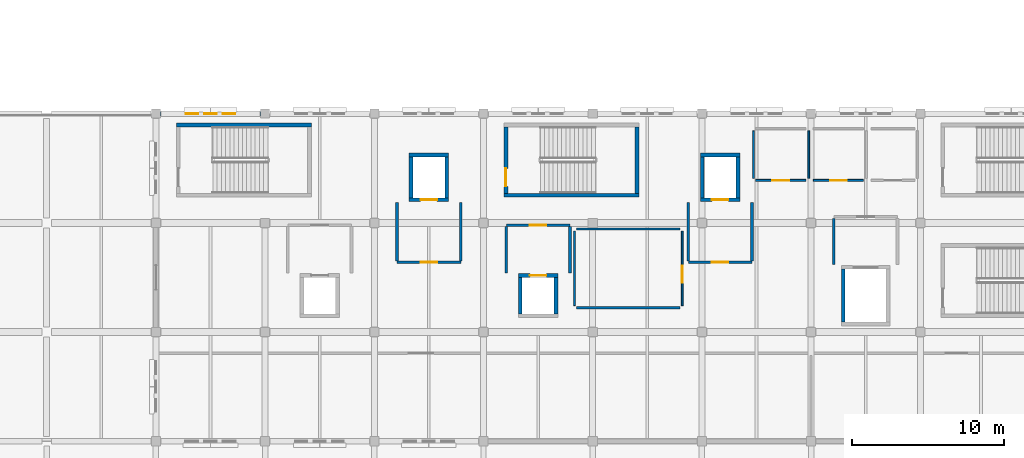
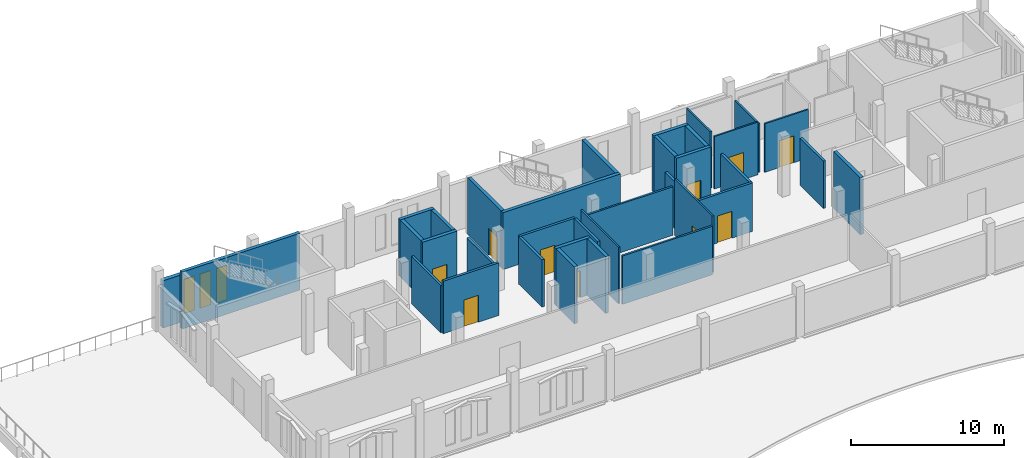
# One storey, part 10 of 23: 35 walls, 10 doors, 3 windows, 13 openings.
"""IFC4 building model written with IfcOpenShell, lengths in metres."""

import ifcopenshell
import ifcopenshell.guid

model = None  # the IFC model being written
_history = None  # IfcOwnerHistory: only IFC2X3 demands one
_inside = {}  # id of a spatial element -> (the spatial element, [elements in it])
_under = {}  # id of a project, library or spatial element -> (it, [spatial elements below it])
_declared = {}  # id of a project -> (the project, [libraries it declares])
_typed = {}  # id of a type object -> (the type object, [elements of that type])
_made_of = {}  # id of a material, layer set ... -> (it, [elements and type objects made of it])


def new_model(schema):
    """Start an empty IFC model of exactly this schema.

    Asked for "IFC4X3", IfcOpenShell would pick the latest addendum, in which some entities
    have other attributes; the version numbers below select the first issue.
    IFC2X3 requires an IfcOwnerHistory on every rooted entity: one is made here for all.
    """
    global model, _history
    if schema == "IFC4X3":
        model = ifcopenshell.file(schema_version=(4, 3, 0, 0))
    else:
        model = ifcopenshell.file(schema=schema)
    _inside.clear()
    _under.clear()
    _declared.clear()
    _typed.clear()
    _made_of.clear()
    _history = None
    if model.schema == "IFC2X3":
        org = make("IfcOrganization", Name="unknown")
        user = make(
            "IfcPersonAndOrganization",
            ThePerson=make("IfcPerson", FamilyName="unknown"),
            TheOrganization=org,
        )
        app = make(
            "IfcApplication",
            ApplicationDeveloper=org,
            Version="unknown",
            ApplicationFullName="unknown",
            ApplicationIdentifier="unknown",
        )
        _history = make(
            "IfcOwnerHistory",
            OwningUser=user,
            OwningApplication=app,
            ChangeAction="ADDED",
            CreationDate=0,
        )
    return model


def make(cls, **values):
    """One entity of the class cls with the attributes given. An attribute that is None is left unset."""
    return model.create_entity(
        cls, **{name: value for name, value in values.items() if value is not None}
    )


def rooted(cls, **values):
    """An entity with a GlobalId (a new one), such as an element, a storey or a relation."""
    return make(cls, GlobalId=ifcopenshell.guid.new(), OwnerHistory=_history, **values)


def si_unit(unit_type, name, prefix=None):
    """IfcSIUnit, for example si_unit("LENGTHUNIT", "METRE", prefix="MILLI")."""
    return make("IfcSIUnit", UnitType=unit_type, Prefix=prefix, Name=name)


def assignment(units):
    """IfcUnitAssignment: the units of a project."""
    return None if units is None else make("IfcUnitAssignment", Units=units)


def point(xyz):
    """IfcCartesianPoint."""
    return None if xyz is None else make("IfcCartesianPoint", Coordinates=xyz)


def direction(xyz):
    """IfcDirection."""
    return None if xyz is None else make("IfcDirection", DirectionRatios=xyz)


def frame(location, z_axis=None, x_axis=None):
    """IfcAxis2Placement3D, a coordinate frame: its origin and axes. An axis left out is left unset."""
    return make(
        "IfcAxis2Placement3D",
        Location=point(location),
        Axis=direction(z_axis),
        RefDirection=direction(x_axis),
    )


def frame_2d(location, x_axis=None):
    """IfcAxis2Placement2D, a coordinate frame in the plane: its origin and x axis."""
    return make(
        "IfcAxis2Placement2D", Location=point(location), RefDirection=direction(x_axis)
    )


def origin():
    """The frame at (0, 0, 0) with its axes left unset."""
    return frame((0.0, 0.0, 0.0))


def place(relative_to, where):
    """IfcLocalPlacement: puts the frame where relative to a parent placement (None: the world)."""
    return make(
        "IfcLocalPlacement", PlacementRelTo=relative_to, RelativePlacement=where
    )


def context(
    kind, dimensions, precision=None, world=None, true_north=None, identifier=None
):
    """IfcGeometricRepresentationContext, for example the 3D "Model" context."""
    return make(
        "IfcGeometricRepresentationContext",
        ContextIdentifier=identifier,
        ContextType=kind,
        CoordinateSpaceDimension=dimensions,
        Precision=precision,
        WorldCoordinateSystem=world,
        TrueNorth=true_north,
    )


def subcontext(parent, identifier, kind, view, scale=None):
    """IfcGeometricRepresentationSubContext, for example "Body" below "Model"."""
    return make(
        "IfcGeometricRepresentationSubContext",
        ContextIdentifier=identifier,
        ContextType=kind,
        ParentContext=parent,
        TargetScale=scale,
        TargetView=view,
    )


def project(units=None, contexts=None):
    """IfcProject with its units and contexts."""
    return rooted(
        "IfcProject",
        Name="project",
        RepresentationContexts=contexts,
        UnitsInContext=assignment(units),
    )


def spatial(cls, under=None, at=None, **own):
    """A site, building, storey or space (cls), placed at a placement, below another one or the project."""
    s = rooted(cls, ObjectPlacement=at, **own)
    if under is not None:
        _under.setdefault(under.id(), (under, []))[1].append(s)
    return s


def profile(cls, at=None, kind="AREA", **sizes):
    """A parametric profile (cls). Its sizes go by their IFC names, for example OverallWidth=200.0."""
    return make(cls, ProfileType=kind, Position=at, **sizes)


def rectangle(**sizes):
    """IfcRectangleProfileDef."""
    return profile("IfcRectangleProfileDef", **sizes)


def extrude(swept, where, along, depth):
    """IfcExtrudedAreaSolid: the profile swept, set in the frame where, extruded along a direction by depth."""
    return make(
        "IfcExtrudedAreaSolid",
        SweptArea=swept,
        Position=where,
        ExtrudedDirection=direction(along),
        Depth=depth,
    )


def shape(context_of_items, identifier, shape_type, items):
    """IfcShapeRepresentation: the items that make up one representation, for example the "Body"."""
    return make(
        "IfcShapeRepresentation",
        ContextOfItems=context_of_items,
        RepresentationIdentifier=identifier,
        RepresentationType=shape_type,
        Items=items,
    )


def material(Name=None, Category=None):
    """IfcMaterial."""
    return make("IfcMaterial", Name=Name, Category=Category)


def layer(
    of_material, thickness, ventilated=None, Name=None, Category=None, Priority=None
):
    """IfcMaterialLayer: one layer of a wall or slab, of a material (None: an air gap)."""
    return make(
        "IfcMaterialLayer",
        Material=of_material,
        LayerThickness=thickness,
        IsVentilated=ventilated,
        Name=Name,
        Category=Category,
        Priority=Priority,
    )


def layer_set(layers, Name=None):
    """IfcMaterialLayerSet."""
    return make("IfcMaterialLayerSet", MaterialLayers=layers, LayerSetName=Name)


def made_of(thing, what):
    """Note that an element or type object is made of a material, layer set ...; save() writes the relation."""
    if what is not None:
        _made_of.setdefault(what.id(), (what, []))[1].append(thing)
    return thing


def type_object(cls, material=None, **own):
    """A type object (cls), such as IfcWallType, which elements share."""
    return made_of(rooted(cls, **own), material)


def element(
    cls,
    number,
    at=None,
    inside=None,
    cuts=None,
    type_object=None,
    material=None,
    context=None,
    identifier="Body",
    shape_type=None,
    held_by="IfcProductDefinitionShape",
    body=None,
    shapes=None,
    **own,
):
    """One element of the class cls, such as IfcWall. Its Tag is "e" and its number.

    at: its placement. inside: the storey or other place that contains it. cuts: it is an
    opening in that element (IfcRelVoidsElement). A single representation is given by context,
    identifier, shape_type and body (its items); several are given by shapes. held_by: the class
    of the entity that holds the representations. save() writes the other relations.
    """
    e = rooted(cls, Tag="e%d" % number, ObjectPlacement=at, **own)
    if body is not None:
        shapes = [shape(context, identifier, shape_type, body)]
    if shapes is not None:
        e.Representation = make(held_by, Representations=shapes)
    if inside is not None:
        _inside.setdefault(inside.id(), (inside, []))[1].append(e)
    if cuts is not None:
        rooted(
            "IfcRelVoidsElement", RelatingBuildingElement=cuts, RelatedOpeningElement=e
        )
    if type_object is not None:
        _typed.setdefault(type_object.id(), (type_object, []))[1].append(e)
    return made_of(e, material)


def fill(opening, filler):
    """IfcRelFillsElement: the door or window that sits in an opening."""
    return rooted(
        "IfcRelFillsElement",
        RelatingOpeningElement=opening,
        RelatedBuildingElement=filler,
    )


def aggregate(whole, parts):
    """IfcRelAggregates: a whole, such as a stair, and the parts it consists of."""
    return rooted("IfcRelAggregates", RelatingObject=whole, RelatedObjects=parts)


def save(model, path):
    """Write the relations noted so far, then the file.

    IfcRelAggregates (storeys below a building ...), IfcRelContainedInSpatialStructure (elements
    in a storey), IfcRelDefinesByType, IfcRelAssociatesMaterial and IfcRelDeclares: one each for
    every whole, place, type object, material and project.
    """
    for whole, parts in _under.values():
        aggregate(whole, parts)
    for where, things in _inside.values():
        rooted(
            "IfcRelContainedInSpatialStructure",
            RelatedElements=things,
            RelatingStructure=where,
        )
    for kind, things in _typed.values():
        rooted("IfcRelDefinesByType", RelatedObjects=things, RelatingType=kind)
    for what, things in _made_of.values():
        rooted("IfcRelAssociatesMaterial", RelatedObjects=things, RelatingMaterial=what)
    for by, libraries in _declared.values():
        rooted("IfcRelDeclares", RelatingContext=by, RelatedDefinitions=libraries)
    model.write(path)


model = new_model("IFC4")

# Units and contexts
model_context = context("Model", 3, precision=1e-05, world=origin(), true_north=direction((0.0, 1.0)))
body_context = subcontext(model_context, "Body", "Model", "MODEL_VIEW")
ifc_project = project(units=[si_unit("LENGTHUNIT", "METRE"), si_unit("AREAUNIT", "SQUARE_METRE"), si_unit("VOLUMEUNIT", "CUBIC_METRE"), si_unit("PLANEANGLEUNIT", "RADIAN"), si_unit("MASSUNIT", "GRAM", prefix="KILO")], contexts=[model_context])

# Site, building, storey
site_placement = place(None, origin())
site = spatial("IfcSite", under=ifc_project, at=site_placement, CompositionType="ELEMENT")
building_placement = place(site_placement, origin())
building = spatial("IfcBuilding", under=site, at=building_placement, Name="Cendralis Lancet Convention Centre", CompositionType="ELEMENT")
storey_placement = place(building_placement, frame((0.0, 0.0, 19.800048828125)))
storey = spatial("IfcBuildingStorey", under=building, at=storey_placement, Name="L04", CompositionType="ELEMENT", Elevation=19.800048828125)

# Wall, openings, windows
ifc_material_1 = material(Name="Buff sandstone ashlar and Concrete G40 (C40/50)", Category="masonry")
ifc_layer_1 = layer(ifc_material_1, 0.300048828125, Name="Buff sandstone ashlar and Concrete G40 (C40/50)")
ifc_layer_set_1 = layer_set([ifc_layer_1], Name="Buff sandstone ashlar and Concrete G40 (C40/50)")
wall_type_1 = type_object("IfcWallType", Name="ARC-EW-W300", PredefinedType="STANDARD", material=ifc_layer_set_1)
wall_1_placement = place(storey_placement, frame((146.7080078125, 36.0, 0.0), z_axis=(0.0, 0.0, 1.0), x_axis=(1.0, 0.0, 0.0)))
wall_1 = element("IfcWall", 1, at=wall_1_placement, inside=storey, type_object=wall_type_1, Name="L04 V5 Exterior Wall EW-07 #0319", PredefinedType="STANDARD", context=body_context, shape_type="SweptSolid", body=[
    extrude(rectangle(XDim=6.583984375, YDim=0.300048828125, at=frame_2d((3.2919921875, 0.0))), origin(), (0.0, 0.0, 1.0), 3.784912109375),
])
opening_1_placement = place(wall_1_placement, frame((1.672119140625, 0.0, 0.5)))
opening_1 = element("IfcOpeningElement", 2, at=opening_1_placement, cuts=wall_1, Name="Opening WN-07", PredefinedType="OPENING", context=body_context, shape_type="SweptSolid", body=[
    extrude(rectangle(XDim=0.800048828125, YDim=2.75, at=frame_2d((0.39990234375, 1.375))), frame((0.0, 0.159912109375, 0.0), z_axis=(0.0, -1.0, 0.0), x_axis=(1.0, 0.0, 0.0)), (0.0, 0.0, 1.0), 0.320068359375),
])
opening_2_placement = place(wall_1_placement, frame((2.89208984375, 0.0, 0.5)))
opening_2 = element("IfcOpeningElement", 3, at=opening_2_placement, cuts=wall_1, Name="Opening WN-07", PredefinedType="OPENING", context=body_context, shape_type="SweptSolid", body=[
    extrude(rectangle(XDim=0.800048828125, YDim=2.75, at=frame_2d((0.39990234375, 1.375))), frame((0.0, 0.159912109375, 0.0), z_axis=(0.0, -1.0, 0.0), x_axis=(1.0, 0.0, 0.0)), (0.0, 0.0, 1.0), 0.320068359375),
])
opening_3_placement = place(wall_1_placement, frame((4.112060546875, 0.0, 0.5)))
opening_3 = element("IfcOpeningElement", 4, at=opening_3_placement, cuts=wall_1, Name="Opening WN-07", PredefinedType="OPENING", context=body_context, shape_type="SweptSolid", body=[
    extrude(rectangle(XDim=0.800048828125, YDim=2.75, at=frame_2d((0.39990234375, 1.375))), frame((0.0, 0.159912109375, 0.0), z_axis=(0.0, -1.0, 0.0), x_axis=(1.0, 0.0, 0.0)), (0.0, 0.0, 1.0), 0.320068359375),
])
ifc_material_2 = material(Name="Double-glazed low-E solar-control glass", Category="glass")
window_type = type_object("IfcWindowType", Name="ARC-WN-LW07", PartitioningType="SINGLE_PANEL", PredefinedType="WINDOW", material=ifc_material_2)
window_1_placement = place(opening_1_placement, origin())
window_1 = element("IfcWindow", 5, at=window_1_placement, inside=storey, type_object=window_type, Name="Gothic Lancet Window WN-07 #0634", OverallHeight=2.75, OverallWidth=0.800048828125, PartitioningType="SINGLE_PANEL", PredefinedType="WINDOW", context=body_context, shape_type="SweptSolid", body=[
    extrude(rectangle(XDim=0.800048828125, YDim=2.75, at=frame_2d((0.39990234375, 1.375))), frame((0.0, 0.030029296875, 0.0), z_axis=(0.0, -1.0, 0.0), x_axis=(1.0, 0.0, 0.0)), (0.0, 0.0, 1.0), 0.06005859375),
])
fill(opening_1, window_1)
window_2_placement = place(opening_2_placement, origin())
window_2 = element("IfcWindow", 6, at=window_2_placement, inside=storey, type_object=window_type, Name="Gothic Lancet Window WN-07 #0635", OverallHeight=2.75, OverallWidth=0.800048828125, PartitioningType="SINGLE_PANEL", PredefinedType="WINDOW", context=body_context, shape_type="SweptSolid", body=[
    extrude(rectangle(XDim=0.800048828125, YDim=2.75, at=frame_2d((0.39990234375, 1.375))), frame((0.0, 0.030029296875, 0.0), z_axis=(0.0, -1.0, 0.0), x_axis=(1.0, 0.0, 0.0)), (0.0, 0.0, 1.0), 0.06005859375),
])
fill(opening_2, window_2)
window_3_placement = place(opening_3_placement, origin())
window_3 = element("IfcWindow", 7, at=window_3_placement, inside=storey, type_object=window_type, Name="Gothic Lancet Window WN-07 #0636", OverallHeight=2.75, OverallWidth=0.800048828125, PartitioningType="SINGLE_PANEL", PredefinedType="WINDOW", context=body_context, shape_type="SweptSolid", body=[
    extrude(rectangle(XDim=0.800048828125, YDim=2.75, at=frame_2d((0.39990234375, 1.375))), frame((0.0, 0.030029296875, 0.0), z_axis=(0.0, -1.0, 0.0), x_axis=(1.0, 0.0, 0.0)), (0.0, 0.0, 1.0), 0.06005859375),
])
fill(opening_3, window_3)

# Wall
ifc_material_3 = material(Name="Acoustic fire-rated gypsum board on steel studs", Category="steel")
ifc_layer_2 = layer(ifc_material_3, 0.1201171875, Name="Acoustic fire-rated gypsum board on steel studs")
ifc_layer_set_2 = layer_set([ifc_layer_2], Name="Acoustic fire-rated gypsum board on steel studs")
wall_type_2 = type_object("IfcWallType", Name="ARC-IW-P120", PredefinedType="PARTITIONING", material=ifc_layer_set_2)
wall_2_placement = place(storey_placement, frame((174.0, 23.340087890625, 0.0), z_axis=(0.0, 0.0, 1.0), x_axis=(0.0, 1.0, 0.0)))
element("IfcWall", 8, at=wall_2_placement, inside=storey, type_object=wall_type_2, Name="L04 Interior Partition IW-05 #0429", PredefinedType="PARTITIONING", context=body_context, shape_type="SweptSolid", body=[
    extrude(rectangle(XDim=4.919921875, YDim=0.1201171875, at=frame_2d((2.4599609375, 0.0))), origin(), (0.0, 0.0, 1.0), 4.534912109375),
])

# Wall, opening, door
wall_3_placement = place(storey_placement, frame((181.10009765625, 23.340087890625, 0.0), z_axis=(0.0, 0.0, 1.0), x_axis=(0.0, 1.0, 0.0)))
wall_3 = element("IfcWall", 9, at=wall_3_placement, inside=storey, type_object=wall_type_2, Name="L04 Interior Partition IW-05 #0430", PredefinedType="PARTITIONING", context=body_context, shape_type="SweptSolid", body=[
    extrude(rectangle(XDim=4.919921875, YDim=0.1201171875, at=frame_2d((2.4599609375, 0.0))), origin(), (0.0, 0.0, 1.0), 4.534912109375),
])
opening_4_placement = place(wall_3_placement, frame((1.528076171875, 0.0, 0.0)))
opening_4 = element("IfcOpeningElement", 10, at=opening_4_placement, cuts=wall_3, Name="Opening FD-11", PredefinedType="OPENING", context=body_context, shape_type="SweptSolid", body=[
    extrude(rectangle(XDim=1.10009765625, YDim=2.14990234375, at=frame_2d((0.550048828125, 1.074951171875))), frame((0.0, 0.070068359375, 0.0), z_axis=(0.0, -1.0, 0.0), x_axis=(1.0, 0.0, 0.0)), (0.0, 0.0, 1.0), 0.14013671875),
])
ifc_material_4 = material(Name="Steel S355", Category="steel")
door_type_1 = type_object("IfcDoorType", Name="ARC-DR-FF11", OperationType="NOTDEFINED", PredefinedType="DOOR", material=ifc_material_4)
door_1_placement = place(opening_4_placement, frame((1.10009765625, 0.0, 0.0), z_axis=(0.0, 0.0, 1.0), x_axis=(-1.0, 0.0, 0.0)))
door_1 = element("IfcDoor", 11, at=door_1_placement, inside=storey, type_object=door_type_1, Name="L04-D013 L04 Interior Door FD-11 #0147", OperationType="SINGLE_SWING_LEFT", OverallHeight=2.14990234375, OverallWidth=1.10009765625, PredefinedType="DOOR", context=body_context, shape_type="SweptSolid", body=[
    extrude(rectangle(XDim=1.10009765625, YDim=2.14990234375, at=frame_2d((0.550048828125, 1.074951171875))), frame((0.0, 0.02490234375, 0.0), z_axis=(0.0, -1.0, 0.0), x_axis=(1.0, 0.0, 0.0)), (0.0, 0.0, 1.0), 0.050048828125),
])
fill(opening_4, door_1)

wall_4_placement = place(storey_placement, frame((185.949951171875, 31.60009765625, 0.0), z_axis=(0.0, 0.0, 1.0), x_axis=(1.0, 0.0, 0.0)))
wall_4 = element("IfcWall", 12, at=wall_4_placement, inside=storey, type_object=wall_type_2, Name="L04 Interior Partition IW-05 #0431", PredefinedType="PARTITIONING", context=body_context, shape_type="SweptSolid", body=[
    extrude(rectangle(XDim=3.300048828125, YDim=0.1201171875, at=frame_2d((1.64990234375, 0.0))), origin(), (0.0, 0.0, 1.0), 4.204833984375),
])
opening_5_placement = place(wall_4_placement, frame((1.10009765625, 0.0, 0.0)))
opening_5 = element("IfcOpeningElement", 13, at=opening_5_placement, cuts=wall_4, Name="Opening FD-11", PredefinedType="OPENING", context=body_context, shape_type="SweptSolid", body=[
    extrude(rectangle(XDim=1.10009765625, YDim=2.14990234375, at=frame_2d((0.550048828125, 1.074951171875))), frame((0.0, 0.070068359375, 0.0), z_axis=(0.0, -1.0, 0.0), x_axis=(1.0, 0.0, 0.0)), (0.0, 0.0, 1.0), 0.14013671875),
])
door_2_placement = place(opening_5_placement, origin())
door_2 = element("IfcDoor", 14, at=door_2_placement, inside=storey, type_object=door_type_1, Name="L04-D014 L04 Interior Door FD-11 #0148", OperationType="SINGLE_SWING_RIGHT", OverallHeight=2.14990234375, OverallWidth=1.10009765625, PredefinedType="DOOR", context=body_context, shape_type="SweptSolid", body=[
    extrude(rectangle(XDim=1.10009765625, YDim=2.14990234375, at=frame_2d((0.550048828125, 1.074951171875))), frame((0.0, 0.02490234375, 0.0), z_axis=(0.0, -1.0, 0.0), x_axis=(1.0, 0.0, 0.0)), (0.0, 0.0, 1.0), 0.050048828125),
])
fill(opening_5, door_2)

# Walls
wall_5_placement = place(storey_placement, frame((185.800048828125, 31.739990234375, 0.0), z_axis=(0.0, 0.0, 1.0), x_axis=(0.0, 1.0, 0.0)))
element("IfcWall", 15, at=wall_5_placement, inside=storey, type_object=wall_type_2, Name="L04 Interior Partition IW-05 #0433", PredefinedType="PARTITIONING", context=body_context, shape_type="SweptSolid", body=[
    extrude(rectangle(XDim=3.1201171875, YDim=0.1201171875, at=frame_2d((1.56005859375, 0.0))), origin(), (0.0, 0.0, 1.0), 4.534912109375),
])
wall_6_placement = place(storey_placement, frame((189.449951171875, 31.739990234375, 0.0), z_axis=(0.0, 0.0, 1.0), x_axis=(0.0, 1.0, 0.0)))
element("IfcWall", 16, at=wall_6_placement, inside=storey, type_object=wall_type_2, Name="L04 Interior Partition IW-05 #0434", PredefinedType="PARTITIONING", context=body_context, shape_type="SweptSolid", body=[
    extrude(rectangle(XDim=3.1201171875, YDim=0.1201171875, at=frame_2d((1.56005859375, 0.0))), origin(), (0.0, 0.0, 1.0), 3.885009765625),
])

# Wall, opening, door
wall_7_placement = place(storey_placement, frame((189.75, 31.60009765625, 0.0), z_axis=(0.0, 0.0, 1.0), x_axis=(1.0, 0.0, 0.0)))
wall_7 = element("IfcWall", 17, at=wall_7_placement, inside=storey, type_object=wall_type_2, Name="L04 Interior Partition IW-05 #0435", PredefinedType="PARTITIONING", context=body_context, shape_type="SweptSolid", body=[
    extrude(rectangle(XDim=3.300048828125, YDim=0.1201171875, at=frame_2d((1.64990234375, 0.0))), origin(), (0.0, 0.0, 1.0), 3.885009765625),
])
opening_6_placement = place(wall_7_placement, frame((1.10009765625, 0.0, 0.0)))
opening_6 = element("IfcOpeningElement", 18, at=opening_6_placement, cuts=wall_7, Name="Opening FD-11", PredefinedType="OPENING", context=body_context, shape_type="SweptSolid", body=[
    extrude(rectangle(XDim=1.10009765625, YDim=2.14990234375, at=frame_2d((0.550048828125, 1.074951171875))), frame((0.0, 0.070068359375, 0.0), z_axis=(0.0, -1.0, 0.0), x_axis=(1.0, 0.0, 0.0)), (0.0, 0.0, 1.0), 0.14013671875),
])
door_3_placement = place(opening_6_placement, frame((1.10009765625, 0.0, 0.0), z_axis=(0.0, 0.0, 1.0), x_axis=(-1.0, 0.0, 0.0)))
door_3 = element("IfcDoor", 19, at=door_3_placement, inside=storey, type_object=door_type_1, Name="L04-D015 L04 Interior Door FD-11 #0149", OperationType="SINGLE_SWING_LEFT", OverallHeight=2.14990234375, OverallWidth=1.10009765625, PredefinedType="DOOR", context=body_context, shape_type="SweptSolid", body=[
    extrude(rectangle(XDim=1.10009765625, YDim=2.14990234375, at=frame_2d((0.550048828125, 1.074951171875))), frame((0.0, 0.02490234375, 0.0), z_axis=(0.0, -1.0, 0.0), x_axis=(1.0, 0.0, 0.0)), (0.0, 0.0, 1.0), 0.050048828125),
])
fill(opening_6, door_3)

# Walls
ifc_layer_3 = layer(ifc_material_3, 0.139892578125, Name="Acoustic fire-rated gypsum board on steel studs")
ifc_layer_set_3 = layer_set([ifc_layer_3], Name="Acoustic fire-rated gypsum board on steel studs")
wall_type_3 = type_object("IfcWallType", Name="ARC-IW-P140", PredefinedType="PARTITIONING", material=ifc_layer_set_3)
for number, where, z_axis, x_axis, name in (
    (20, (174.139892578125, 23.199951171875, 0.0), (0.0, 0.0, 1.0), (1.0, 0.0, 0.0), "L04 Interior Partition IW-04 #0427"),
    (21, (174.139892578125, 28.39990234375, 0.0), (0.0, 0.0, 1.0), (1.0, 0.0, 0.0), "L04 Interior Partition IW-04 #0428"),
):
    element("IfcWall", number, at=place(storey_placement, frame(where, z_axis=z_axis, x_axis=x_axis)), inside=storey, type_object=wall_type_3, Name=name, PredefinedType="PARTITIONING", context=body_context, shape_type="SweptSolid", body=[
        extrude(rectangle(XDim=6.820068359375, YDim=0.139892578125, at=frame_2d((3.41015625, 0.0))), origin(), (0.0, 0.0, 1.0), 3.885009765625),
    ])

# Wall, opening, door
ifc_layer_4 = layer(ifc_material_3, 0.179931640625, Name="Acoustic fire-rated gypsum board on steel studs")
ifc_layer_set_4 = layer_set([ifc_layer_4], Name="Acoustic fire-rated gypsum board on steel studs")
wall_type_4 = type_object("IfcWallType", Name="ARC-IW-P180", PredefinedType="PARTITIONING", material=ifc_layer_set_4)
wall_8_placement = place(storey_placement, frame((166.5, 26.199951171875, 0.0), z_axis=(0.0, 0.0, 1.0), x_axis=(-1.0, 0.0, 0.0)))
wall_8 = element("IfcWall", 22, at=wall_8_placement, inside=storey, type_object=wall_type_4, Name="L04 Firefighting Lift Lobby LF-01 Front Wall", PredefinedType="PARTITIONING", context=body_context, shape_type="SweptSolid", body=[
    extrude(rectangle(XDim=4.199951171875, YDim=0.179931640625, at=frame_2d((2.10009765625, 0.0))), origin(), (0.0, 0.0, 1.0), 4.204833984375),
])
opening_7_placement = place(wall_8_placement, frame((1.550048828125, 0.0, 0.0)))
opening_7 = element("IfcOpeningElement", 23, at=opening_7_placement, cuts=wall_8, Name="Opening FD-11", PredefinedType="OPENING", context=body_context, shape_type="SweptSolid", body=[
    extrude(rectangle(XDim=1.10009765625, YDim=2.14990234375, at=frame_2d((0.550048828125, 1.074951171875))), frame((0.0, 0.099853515625, 0.0), z_axis=(0.0, -1.0, 0.0), x_axis=(1.0, 0.0, 0.0)), (0.0, 0.0, 1.0), 0.199951171875),
])
door_4_placement = place(opening_7_placement, origin())
door_4 = element("IfcDoor", 24, at=door_4_placement, inside=storey, type_object=door_type_1, Name="L04-D024 L04 Lift Lobby LF-01 Fire Door", OperationType="SINGLE_SWING_LEFT", OverallHeight=2.14990234375, OverallWidth=1.10009765625, PredefinedType="DOOR", context=body_context, shape_type="SweptSolid", body=[
    extrude(rectangle(XDim=1.10009765625, YDim=2.14990234375, at=frame_2d((0.550048828125, 1.074951171875))), frame((0.0, 0.02490234375, 0.0), z_axis=(0.0, -1.0, 0.0), x_axis=(1.0, 0.0, 0.0)), (0.0, 0.0, 1.0), 0.050048828125),
])
fill(opening_7, door_4)

# Walls
for number, where, z_axis, x_axis, name in (
    (25, (162.300048828125, 26.300048828125, 0.0), (0.0, 0.0, 1.0), (0.0, 1.0, 0.0), "L04 Lift Lobby LF-01 West Wall"),
    (26, (166.5, 26.300048828125, 0.0), (0.0, 0.0, 1.0), (0.0, 1.0, 0.0), "L04 Lift Lobby LF-01 East Wall"),
):
    element("IfcWall", number, at=place(storey_placement, frame(where, z_axis=z_axis, x_axis=x_axis)), inside=storey, type_object=wall_type_4, Name=name, PredefinedType="PARTITIONING", context=body_context, shape_type="SweptSolid", body=[
        extrude(rectangle(XDim=3.849853515625, YDim=0.179931640625, at=frame_2d((1.9248046875, 0.0))), origin(), (0.0, 0.0, 1.0), 3.784912109375),
    ])

# Wall, opening, door
wall_9_placement = place(storey_placement, frame((185.699951171875, 26.199951171875, 0.0), z_axis=(0.0, 0.0, 1.0), x_axis=(-1.0, 0.0, 0.0)))
wall_9 = element("IfcWall", 27, at=wall_9_placement, inside=storey, type_object=wall_type_4, Name="L04 Firefighting Lift Lobby LF-02 Front Wall", PredefinedType="PARTITIONING", context=body_context, shape_type="SweptSolid", body=[
    extrude(rectangle(XDim=4.199951171875, YDim=0.179931640625, at=frame_2d((2.10009765625, 0.0))), origin(), (0.0, 0.0, 1.0), 3.885009765625),
])
opening_8_placement = place(wall_9_placement, frame((1.550048828125, 0.0, 0.0)))
opening_8 = element("IfcOpeningElement", 28, at=opening_8_placement, cuts=wall_9, Name="Opening FD-11", PredefinedType="OPENING", context=body_context, shape_type="SweptSolid", body=[
    extrude(rectangle(XDim=1.10009765625, YDim=2.14990234375, at=frame_2d((0.550048828125, 1.074951171875))), frame((0.0, 0.099853515625, 0.0), z_axis=(0.0, -1.0, 0.0), x_axis=(1.0, 0.0, 0.0)), (0.0, 0.0, 1.0), 0.199951171875),
])
door_5_placement = place(opening_8_placement, origin())
door_5 = element("IfcDoor", 29, at=door_5_placement, inside=storey, type_object=door_type_1, Name="L04-D025 L04 Lift Lobby LF-02 Fire Door", OperationType="SINGLE_SWING_RIGHT", OverallHeight=2.14990234375, OverallWidth=1.10009765625, PredefinedType="DOOR", context=body_context, shape_type="SweptSolid", body=[
    extrude(rectangle(XDim=1.10009765625, YDim=2.14990234375, at=frame_2d((0.550048828125, 1.074951171875))), frame((0.0, 0.02490234375, 0.0), z_axis=(0.0, -1.0, 0.0), x_axis=(1.0, 0.0, 0.0)), (0.0, 0.0, 1.0), 0.050048828125),
])
fill(opening_8, door_5)

# Walls
for number, where, z_axis, x_axis, name in (
    (30, (181.5, 26.300048828125, 0.0), (0.0, 0.0, 1.0), (0.0, 1.0, 0.0), "L04 Lift Lobby LF-02 West Wall"),
    (31, (185.699951171875, 26.300048828125, 0.0), (0.0, 0.0, 1.0), (0.0, 1.0, 0.0), "L04 Lift Lobby LF-02 East Wall"),
):
    element("IfcWall", number, at=place(storey_placement, frame(where, z_axis=z_axis, x_axis=x_axis)), inside=storey, type_object=wall_type_4, Name=name, PredefinedType="PARTITIONING", context=body_context, shape_type="SweptSolid", body=[
        extrude(rectangle(XDim=3.849853515625, YDim=0.179931640625, at=frame_2d((1.9248046875, 0.0))), origin(), (0.0, 0.0, 1.0), 3.784912109375),
    ])

# Wall, opening, door
wall_10_placement = place(storey_placement, frame((169.5, 28.64990234375, 0.0), z_axis=(0.0, 0.0, 1.0), x_axis=(1.0, 0.0, 0.0)))
wall_10 = element("IfcWall", 32, at=wall_10_placement, inside=storey, type_object=wall_type_4, Name="L04 Lift Lobby LP-02 Front Wall", PredefinedType="PARTITIONING", context=body_context, shape_type="SweptSolid", body=[
    extrude(rectangle(XDim=4.199951171875, YDim=0.179931640625, at=frame_2d((2.10009765625, 0.0))), origin(), (0.0, 0.0, 1.0), 3.784912109375),
])
opening_9_placement = place(wall_10_placement, frame((1.550048828125, 0.0, 0.0)))
opening_9 = element("IfcOpeningElement", 33, at=opening_9_placement, cuts=wall_10, Name="Opening FD-11", PredefinedType="OPENING", context=body_context, shape_type="SweptSolid", body=[
    extrude(rectangle(XDim=1.10009765625, YDim=2.14990234375, at=frame_2d((0.550048828125, 1.074951171875))), frame((0.0, 0.099853515625, 0.0), z_axis=(0.0, -1.0, 0.0), x_axis=(1.0, 0.0, 0.0)), (0.0, 0.0, 1.0), 0.199951171875),
])
door_6_placement = place(opening_9_placement, origin())
door_6 = element("IfcDoor", 34, at=door_6_placement, inside=storey, type_object=door_type_1, Name="L04-D028 L04 Lift Lobby LP-02 Fire Door", OperationType="SINGLE_SWING_RIGHT", OverallHeight=2.14990234375, OverallWidth=1.10009765625, PredefinedType="DOOR", context=body_context, shape_type="SweptSolid", body=[
    extrude(rectangle(XDim=1.10009765625, YDim=2.14990234375, at=frame_2d((0.550048828125, 1.074951171875))), frame((0.0, 0.02490234375, 0.0), z_axis=(0.0, -1.0, 0.0), x_axis=(1.0, 0.0, 0.0)), (0.0, 0.0, 1.0), 0.050048828125),
])
fill(opening_9, door_6)

# Walls
for number, where, z_axis, x_axis, name in (
    (35, (169.5, 25.5, 0.0), (0.0, 0.0, 1.0), (0.0, 1.0, 0.0), "L04 Lift Lobby LP-02 West Wall"),
    (36, (173.699951171875, 25.5, 0.0), (0.0, 0.0, 1.0), (0.0, 1.0, 0.0), "L04 Lift Lobby LP-02 East Wall"),
    (37, (191.10009765625, 26.050048828125, 0.0), (0.0, 0.0, 1.0), (0.0, 1.0, 0.0), "L04 Lift Lobby LG-04 West Wall"),
):
    element("IfcWall", number, at=place(storey_placement, frame(where, z_axis=z_axis, x_axis=x_axis)), inside=storey, type_object=wall_type_4, Name=name, PredefinedType="PARTITIONING", context=body_context, shape_type="SweptSolid", body=[
        extrude(rectangle(XDim=3.050048828125, YDim=0.179931640625, at=frame_2d((1.52490234375, 0.0))), origin(), (0.0, 0.0, 1.0), 3.784912109375),
    ])
ifc_material_5 = material(Name="Concrete G40 (C40/50)", Category="concrete")
ifc_layer_5 = layer(ifc_material_5, 0.25, Name="Concrete G40 (C40/50)")
ifc_layer_set_5 = layer_set([ifc_layer_5], Name="Concrete G40 (C40/50)")
wall_type_5 = type_object("IfcWallType", Name="STR-SW-CW250", PredefinedType="SHEAR", material=ifc_layer_set_5)
wall_11_placement = place(storey_placement, frame((147.75, 35.2548828125, 0.0), z_axis=(0.0, 0.0, 1.0), x_axis=(1.0, 0.0, 0.0)))
element("IfcWall", 38, at=wall_11_placement, inside=storey, type_object=wall_type_5, Name="L04 Stair Core ST-13 North Shear Wall", PredefinedType="SHEAR", context=body_context, shape_type="SweptSolid", body=[
    extrude(rectangle(XDim=8.89990234375, YDim=0.25, at=frame_2d((4.449951171875, 0.0))), origin(), (0.0, 0.0, 1.0), 4.550048828125),
])

# Wall, opening, door
wall_12_placement = place(storey_placement, frame((169.47509765625, 30.75, 0.0), z_axis=(0.0, 0.0, 1.0), x_axis=(0.0, 1.0, 0.0)))
wall_12 = element("IfcWall", 39, at=wall_12_placement, inside=storey, type_object=wall_type_5, Name="L04 Stair Core ST-14 West Shear Wall", PredefinedType="SHEAR", context=body_context, shape_type="SweptSolid", body=[
    extrude(rectangle(XDim=4.3798828125, YDim=0.25, at=frame_2d((2.18994140625, 0.0))), origin(), (0.0, 0.0, 1.0), 4.550048828125),
])
opening_10_placement = place(wall_12_placement, frame((0.449951171875, 0.0, 0.0)))
opening_10 = element("IfcOpeningElement", 40, at=opening_10_placement, cuts=wall_12, Name="Opening SD-12", PredefinedType="OPENING", context=body_context, shape_type="SweptSolid", body=[
    extrude(rectangle(XDim=1.199951171875, YDim=2.14990234375, at=frame_2d((0.60009765625, 1.074951171875))), frame((0.0, 0.135009765625, 0.0), z_axis=(0.0, -1.0, 0.0), x_axis=(1.0, 0.0, 0.0)), (0.0, 0.0, 1.0), 0.27001953125),
])
door_type_2 = type_object("IfcDoorType", Name="ARC-DR-ST12", OperationType="NOTDEFINED", PredefinedType="DOOR", material=ifc_material_4)
door_7_placement = place(opening_10_placement, frame((1.199951171875, 0.0, 0.0), z_axis=(0.0, 0.0, 1.0), x_axis=(-1.0, 0.0, 0.0)))
door_7 = element("IfcDoor", 41, at=door_7_placement, inside=storey, type_object=door_type_2, Name="L04-D034 L04 Exit Stair ST-14 Fire Door", OperationType="SINGLE_SWING_RIGHT", OverallHeight=2.14990234375, OverallWidth=1.199951171875, PredefinedType="DOOR", context=body_context, shape_type="SweptSolid", body=[
    extrude(rectangle(XDim=1.199951171875, YDim=2.14990234375, at=frame_2d((0.60009765625, 1.074951171875))), frame((0.0, 0.02490234375, 0.0), z_axis=(0.0, -1.0, 0.0), x_axis=(1.0, 0.0, 0.0)), (0.0, 0.0, 1.0), 0.050048828125),
])
fill(opening_10, door_7)

# Walls
wall_13_placement = place(storey_placement, frame((178.125, 30.75, 0.0), z_axis=(0.0, 0.0, 1.0), x_axis=(0.0, 1.0, 0.0)))
element("IfcWall", 42, at=wall_13_placement, inside=storey, type_object=wall_type_5, Name="L04 Stair Core ST-14 East Shear Wall", PredefinedType="SHEAR", context=body_context, shape_type="SweptSolid", body=[
    extrude(rectangle(XDim=4.3798828125, YDim=0.25, at=frame_2d((2.18994140625, 0.0))), origin(), (0.0, 0.0, 1.0), 4.550048828125),
])
wall_14_placement = place(storey_placement, frame((169.35009765625, 30.625, 0.0), z_axis=(0.0, 0.0, 1.0), x_axis=(1.0, 0.0, 0.0)))
element("IfcWall", 43, at=wall_14_placement, inside=storey, type_object=wall_type_5, Name="L04 Stair Core ST-14 South Shear Wall", PredefinedType="SHEAR", context=body_context, shape_type="SweptSolid", body=[
    extrude(rectangle(XDim=8.89990234375, YDim=0.25, at=frame_2d((4.449951171875, 0.0))), origin(), (0.0, 0.0, 1.0), 4.550048828125),
])

# Wall, opening, door
wall_15_placement = place(storey_placement, frame((163.10009765625, 30.324951171875, 0.0), z_axis=(0.0, 0.0, 1.0), x_axis=(1.0, 0.0, 0.0)))
wall_15 = element("IfcWall", 44, at=wall_15_placement, inside=storey, type_object=wall_type_5, Name="L04 Lift LF-01 South Shaft Wall", PredefinedType="SHEAR", context=body_context, shape_type="SweptSolid", body=[
    extrude(rectangle(XDim=2.599853515625, YDim=0.25, at=frame_2d((1.2998046875, 0.0))), origin(), (0.0, 0.0, 1.0), 4.550048828125),
])
opening_11_placement = place(wall_15_placement, frame((0.75, 0.0, 0.0)))
opening_11 = element("IfcOpeningElement", 45, at=opening_11_placement, cuts=wall_15, Name="Opening LD-11", PredefinedType="OPENING", context=body_context, shape_type="SweptSolid", body=[
    extrude(rectangle(XDim=1.10009765625, YDim=2.14990234375, at=frame_2d((0.550048828125, 1.074951171875))), frame((0.0, 0.135009765625, 0.0), z_axis=(0.0, -1.0, 0.0), x_axis=(1.0, 0.0, 0.0)), (0.0, 0.0, 1.0), 0.27001953125),
])
ifc_material_6 = material(Name="Anodised bronze architectural aluminium", Category="aluminium")
door_type_3 = type_object("IfcDoorType", Name="ARC-DR-LD11", OperationType="NOTDEFINED", PredefinedType="DOOR", material=ifc_material_6)
door_8_placement = place(opening_11_placement, origin())
door_8 = element("IfcDoor", 46, at=door_8_placement, inside=storey, type_object=door_type_3, Name="L04-D017 L04 Lift LF-01 Sliding Landing Door", OperationType="SLIDING_TO_LEFT", OverallHeight=2.14990234375, OverallWidth=1.10009765625, PredefinedType="DOOR", context=body_context, shape_type="SweptSolid", body=[
    extrude(rectangle(XDim=1.10009765625, YDim=2.14990234375, at=frame_2d((0.550048828125, 1.074951171875))), frame((0.0, 0.02490234375, 0.0), z_axis=(0.0, -1.0, 0.0), x_axis=(1.0, 0.0, 0.0)), (0.0, 0.0, 1.0), 0.050048828125),
])
fill(opening_11, door_8)

# Walls
wall_16_placement = place(storey_placement, frame((163.10009765625, 33.27490234375, 0.0), z_axis=(0.0, 0.0, 1.0), x_axis=(1.0, 0.0, 0.0)))
element("IfcWall", 47, at=wall_16_placement, inside=storey, type_object=wall_type_5, Name="L04 Lift LF-01 North Shaft Wall", PredefinedType="SHEAR", context=body_context, shape_type="SweptSolid", body=[
    extrude(rectangle(XDim=2.599853515625, YDim=0.25, at=frame_2d((1.2998046875, 0.0))), origin(), (0.0, 0.0, 1.0), 4.550048828125),
])
for number, where, z_axis, x_axis, name in (
    (48, (163.22509765625, 30.449951171875, 0.0), (0.0, 0.0, 1.0), (0.0, 1.0, 0.0), "L04 Lift LF-01 West Shaft Wall"),
    (49, (165.574951171875, 30.449951171875, 0.0), (0.0, 0.0, 1.0), (0.0, 1.0, 0.0), "L04 Lift LF-01 East Shaft Wall"),
):
    element("IfcWall", number, at=place(storey_placement, frame(where, z_axis=z_axis, x_axis=x_axis)), inside=storey, type_object=wall_type_5, Name=name, PredefinedType="SHEAR", context=body_context, shape_type="SweptSolid", body=[
        extrude(rectangle(XDim=2.699951171875, YDim=0.25, at=frame_2d((1.35009765625, 0.0))), origin(), (0.0, 0.0, 1.0), 4.550048828125),
    ])

# Wall, opening, door
wall_17_placement = place(storey_placement, frame((182.300048828125, 30.324951171875, 0.0), z_axis=(0.0, 0.0, 1.0), x_axis=(1.0, 0.0, 0.0)))
wall_17 = element("IfcWall", 50, at=wall_17_placement, inside=storey, type_object=wall_type_5, Name="L04 Lift LF-02 South Shaft Wall", PredefinedType="SHEAR", context=body_context, shape_type="SweptSolid", body=[
    extrude(rectangle(XDim=2.599853515625, YDim=0.25, at=frame_2d((1.2998046875, 0.0))), origin(), (0.0, 0.0, 1.0), 4.550048828125),
])
opening_12_placement = place(wall_17_placement, frame((0.75, 0.0, 0.0)))
opening_12 = element("IfcOpeningElement", 51, at=opening_12_placement, cuts=wall_17, Name="Opening LD-11", PredefinedType="OPENING", context=body_context, shape_type="SweptSolid", body=[
    extrude(rectangle(XDim=1.10009765625, YDim=2.14990234375, at=frame_2d((0.550048828125, 1.074951171875))), frame((0.0, 0.135009765625, 0.0), z_axis=(0.0, -1.0, 0.0), x_axis=(1.0, 0.0, 0.0)), (0.0, 0.0, 1.0), 0.27001953125),
])
door_9_placement = place(opening_12_placement, origin())
door_9 = element("IfcDoor", 52, at=door_9_placement, inside=storey, type_object=door_type_3, Name="L04-D018 L04 Lift LF-02 Sliding Landing Door", OperationType="SLIDING_TO_RIGHT", OverallHeight=2.14990234375, OverallWidth=1.10009765625, PredefinedType="DOOR", context=body_context, shape_type="SweptSolid", body=[
    extrude(rectangle(XDim=1.10009765625, YDim=2.14990234375, at=frame_2d((0.550048828125, 1.074951171875))), frame((0.0, 0.02490234375, 0.0), z_axis=(0.0, -1.0, 0.0), x_axis=(1.0, 0.0, 0.0)), (0.0, 0.0, 1.0), 0.050048828125),
])
fill(opening_12, door_9)

# Walls
wall_18_placement = place(storey_placement, frame((182.300048828125, 33.27490234375, 0.0), z_axis=(0.0, 0.0, 1.0), x_axis=(1.0, 0.0, 0.0)))
element("IfcWall", 53, at=wall_18_placement, inside=storey, type_object=wall_type_5, Name="L04 Lift LF-02 North Shaft Wall", PredefinedType="SHEAR", context=body_context, shape_type="SweptSolid", body=[
    extrude(rectangle(XDim=2.599853515625, YDim=0.25, at=frame_2d((1.2998046875, 0.0))), origin(), (0.0, 0.0, 1.0), 4.550048828125),
])
for number, where, z_axis, x_axis, name in (
    (54, (182.425048828125, 30.449951171875, 0.0), (0.0, 0.0, 1.0), (0.0, 1.0, 0.0), "L04 Lift LF-02 West Shaft Wall"),
    (55, (184.77490234375, 30.449951171875, 0.0), (0.0, 0.0, 1.0), (0.0, 1.0, 0.0), "L04 Lift LF-02 East Shaft Wall"),
):
    element("IfcWall", number, at=place(storey_placement, frame(where, z_axis=z_axis, x_axis=x_axis)), inside=storey, type_object=wall_type_5, Name=name, PredefinedType="SHEAR", context=body_context, shape_type="SweptSolid", body=[
        extrude(rectangle(XDim=2.699951171875, YDim=0.25, at=frame_2d((1.35009765625, 0.0))), origin(), (0.0, 0.0, 1.0), 4.550048828125),
    ])

# Wall, opening, door
wall_19_placement = place(storey_placement, frame((170.300048828125, 25.324951171875, 0.0), z_axis=(0.0, 0.0, 1.0), x_axis=(1.0, 0.0, 0.0)))
wall_19 = element("IfcWall", 56, at=wall_19_placement, inside=storey, type_object=wall_type_5, Name="L04 Lift LP-02 North Shaft Wall", PredefinedType="SHEAR", context=body_context, shape_type="SweptSolid", body=[
    extrude(rectangle(XDim=2.599853515625, YDim=0.25, at=frame_2d((1.2998046875, 0.0))), origin(), (0.0, 0.0, 1.0), 4.550048828125),
])
opening_13_placement = place(wall_19_placement, frame((0.75, 0.0, 0.0)))
opening_13 = element("IfcOpeningElement", 57, at=opening_13_placement, cuts=wall_19, Name="Opening LD-11", PredefinedType="OPENING", context=body_context, shape_type="SweptSolid", body=[
    extrude(rectangle(XDim=1.10009765625, YDim=2.14990234375, at=frame_2d((0.550048828125, 1.074951171875))), frame((0.0, 0.135009765625, 0.0), z_axis=(0.0, -1.0, 0.0), x_axis=(1.0, 0.0, 0.0)), (0.0, 0.0, 1.0), 0.27001953125),
])
door_10_placement = place(opening_13_placement, origin())
door_10 = element("IfcDoor", 58, at=door_10_placement, inside=storey, type_object=door_type_3, Name="L04-D021 L04 Lift LP-02 Sliding Landing Door", OperationType="SLIDING_TO_RIGHT", OverallHeight=2.14990234375, OverallWidth=1.10009765625, PredefinedType="DOOR", context=body_context, shape_type="SweptSolid", body=[
    extrude(rectangle(XDim=1.10009765625, YDim=2.14990234375, at=frame_2d((0.550048828125, 1.074951171875))), frame((0.0, 0.02490234375, 0.0), z_axis=(0.0, -1.0, 0.0), x_axis=(1.0, 0.0, 0.0)), (0.0, 0.0, 1.0), 0.050048828125),
])
fill(opening_13, door_10)

# Walls
for number, where, z_axis, x_axis, name in (
    (59, (170.425048828125, 22.800048828125, 0.0), (0.0, 0.0, 1.0), (0.0, 1.0, 0.0), "L04 Lift LP-02 West Shaft Wall"),
    (60, (172.77490234375, 22.800048828125, 0.0), (0.0, 0.0, 1.0), (0.0, 1.0, 0.0), "L04 Lift LP-02 East Shaft Wall"),
):
    element("IfcWall", number, at=place(storey_placement, frame(where, z_axis=z_axis, x_axis=x_axis)), inside=storey, type_object=wall_type_5, Name=name, PredefinedType="SHEAR", context=body_context, shape_type="SweptSolid", body=[
        extrude(rectangle(XDim=2.39990234375, YDim=0.25, at=frame_2d((1.199951171875, 0.0))), origin(), (0.0, 0.0, 1.0), 4.550048828125),
    ])
wall_20_placement = place(storey_placement, frame((191.72509765625, 22.25, 0.0), z_axis=(0.0, 0.0, 1.0), x_axis=(0.0, 1.0, 0.0)))
element("IfcWall", 61, at=wall_20_placement, inside=storey, type_object=wall_type_5, Name="L04 Lift LG-04 West Shaft Wall", PredefinedType="SHEAR", context=body_context, shape_type="SweptSolid", body=[
    extrude(rectangle(XDim=3.5, YDim=0.25, at=frame_2d((1.75, 0.0))), origin(), (0.0, 0.0, 1.0), 4.550048828125),
])

save(model, "model.ifc")
